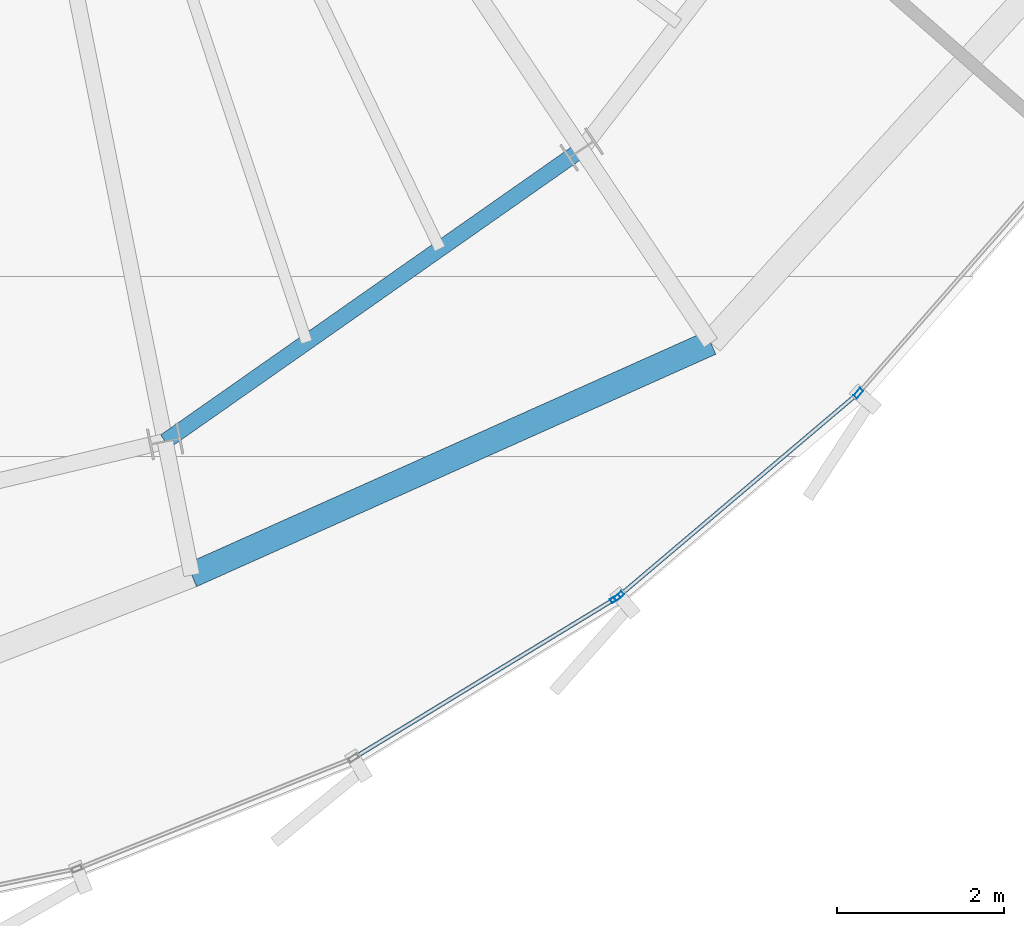
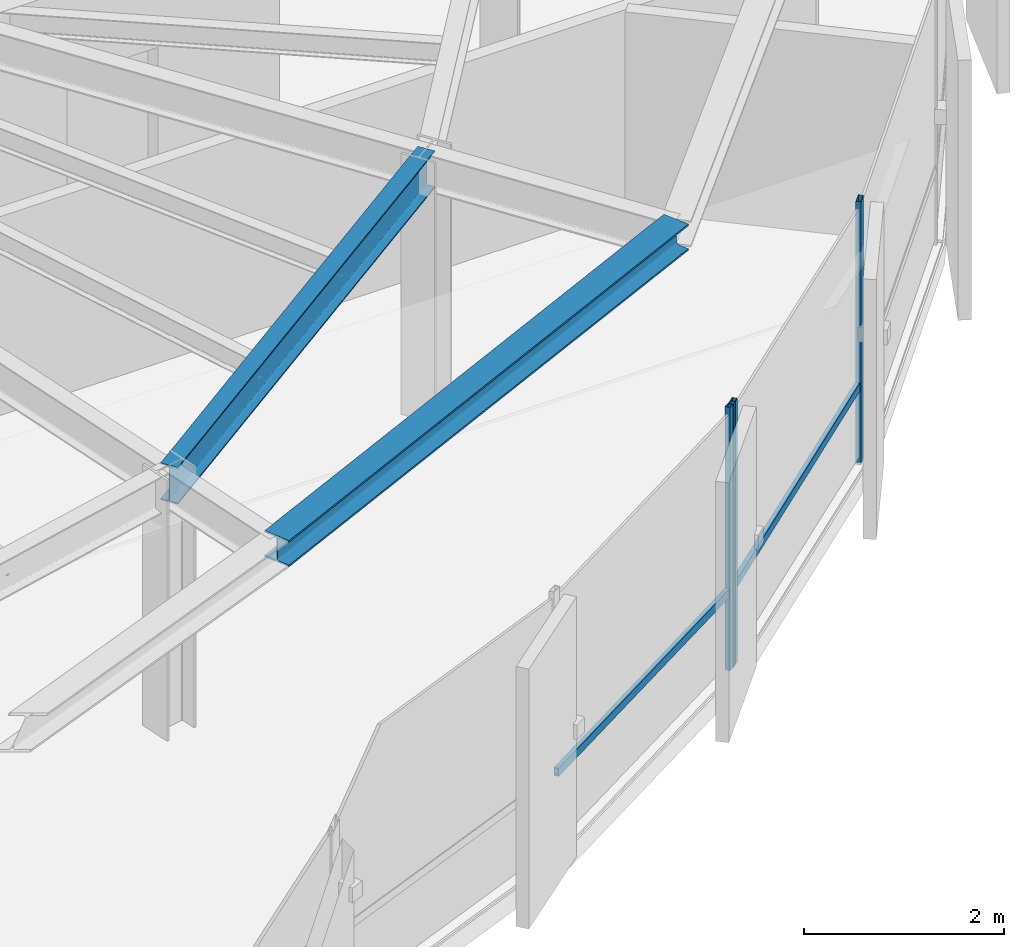
# One storey, part 8 of 32: 5 members, 2 beams, 2 elements without a shape of their own.
"""IFC4 building model written with IfcOpenShell, lengths in metres."""

import ifcopenshell
import ifcopenshell.guid

model = None  # the IFC model being written
_history = None  # IfcOwnerHistory: only IFC2X3 demands one
_inside = {}  # id of a spatial element -> (the spatial element, [elements in it])
_under = {}  # id of a project, library or spatial element -> (it, [spatial elements below it])
_declared = {}  # id of a project -> (the project, [libraries it declares])
_typed = {}  # id of a type object -> (the type object, [elements of that type])
_made_of = {}  # id of a material, layer set ... -> (it, [elements and type objects made of it])


def new_model(schema):
    """Start an empty IFC model of exactly this schema.

    Asked for "IFC4X3", IfcOpenShell would pick the latest addendum, in which some entities
    have other attributes; the version numbers below select the first issue.
    IFC2X3 requires an IfcOwnerHistory on every rooted entity: one is made here for all.
    """
    global model, _history
    if schema == "IFC4X3":
        model = ifcopenshell.file(schema_version=(4, 3, 0, 0))
    else:
        model = ifcopenshell.file(schema=schema)
    _inside.clear()
    _under.clear()
    _declared.clear()
    _typed.clear()
    _made_of.clear()
    _history = None
    if model.schema == "IFC2X3":
        org = make("IfcOrganization", Name="unknown")
        user = make(
            "IfcPersonAndOrganization",
            ThePerson=make("IfcPerson", FamilyName="unknown"),
            TheOrganization=org,
        )
        app = make(
            "IfcApplication",
            ApplicationDeveloper=org,
            Version="unknown",
            ApplicationFullName="unknown",
            ApplicationIdentifier="unknown",
        )
        _history = make(
            "IfcOwnerHistory",
            OwningUser=user,
            OwningApplication=app,
            ChangeAction="ADDED",
            CreationDate=0,
        )
    return model


def make(cls, **values):
    """One entity of the class cls with the attributes given. An attribute that is None is left unset."""
    return model.create_entity(
        cls, **{name: value for name, value in values.items() if value is not None}
    )


def rooted(cls, **values):
    """An entity with a GlobalId (a new one), such as an element, a storey or a relation."""
    return make(cls, GlobalId=ifcopenshell.guid.new(), OwnerHistory=_history, **values)


def si_unit(unit_type, name, prefix=None):
    """IfcSIUnit, for example si_unit("LENGTHUNIT", "METRE", prefix="MILLI")."""
    return make("IfcSIUnit", UnitType=unit_type, Prefix=prefix, Name=name)


def assignment(units):
    """IfcUnitAssignment: the units of a project."""
    return None if units is None else make("IfcUnitAssignment", Units=units)


def point(xyz):
    """IfcCartesianPoint."""
    return None if xyz is None else make("IfcCartesianPoint", Coordinates=xyz)


def direction(xyz):
    """IfcDirection."""
    return None if xyz is None else make("IfcDirection", DirectionRatios=xyz)


def frame(location, z_axis=None, x_axis=None):
    """IfcAxis2Placement3D, a coordinate frame: its origin and axes. An axis left out is left unset."""
    return make(
        "IfcAxis2Placement3D",
        Location=point(location),
        Axis=direction(z_axis),
        RefDirection=direction(x_axis),
    )


def frame_2d(location, x_axis=None):
    """IfcAxis2Placement2D, a coordinate frame in the plane: its origin and x axis."""
    return make(
        "IfcAxis2Placement2D", Location=point(location), RefDirection=direction(x_axis)
    )


def origin():
    """The frame at (0, 0, 0) with its axes left unset."""
    return frame((0.0, 0.0, 0.0))


def origin_2d():
    """The frame at (0, 0) in the plane with its x axis left unset."""
    return frame_2d((0.0, 0.0))


def place(relative_to, where):
    """IfcLocalPlacement: puts the frame where relative to a parent placement (None: the world)."""
    return make(
        "IfcLocalPlacement", PlacementRelTo=relative_to, RelativePlacement=where
    )


def context(
    kind, dimensions, precision=None, world=None, true_north=None, identifier=None
):
    """IfcGeometricRepresentationContext, for example the 3D "Model" context."""
    return make(
        "IfcGeometricRepresentationContext",
        ContextIdentifier=identifier,
        ContextType=kind,
        CoordinateSpaceDimension=dimensions,
        Precision=precision,
        WorldCoordinateSystem=world,
        TrueNorth=true_north,
    )


def subcontext(parent, identifier, kind, view, scale=None):
    """IfcGeometricRepresentationSubContext, for example "Body" below "Model"."""
    return make(
        "IfcGeometricRepresentationSubContext",
        ContextIdentifier=identifier,
        ContextType=kind,
        ParentContext=parent,
        TargetScale=scale,
        TargetView=view,
    )


def project(units=None, contexts=None):
    """IfcProject with its units and contexts."""
    return rooted(
        "IfcProject",
        Name="project",
        RepresentationContexts=contexts,
        UnitsInContext=assignment(units),
    )


def spatial(cls, under=None, at=None, **own):
    """A site, building, storey or space (cls), placed at a placement, below another one or the project."""
    s = rooted(cls, ObjectPlacement=at, **own)
    if under is not None:
        _under.setdefault(under.id(), (under, []))[1].append(s)
    return s


def profile(cls, at=None, kind="AREA", **sizes):
    """A parametric profile (cls). Its sizes go by their IFC names, for example OverallWidth=200.0."""
    return make(cls, ProfileType=kind, Position=at, **sizes)


def hollow_rectangle(**sizes):
    """IfcRectangleHollowProfileDef."""
    return profile("IfcRectangleHollowProfileDef", **sizes)


def i_section(**sizes):
    """IfcIShapeProfileDef."""
    return profile("IfcIShapeProfileDef", **sizes)


def extrude(swept, where, along, depth):
    """IfcExtrudedAreaSolid: the profile swept, set in the frame where, extruded along a direction by depth."""
    return make(
        "IfcExtrudedAreaSolid",
        SweptArea=swept,
        Position=where,
        ExtrudedDirection=direction(along),
        Depth=depth,
    )


def shape(context_of_items, identifier, shape_type, items):
    """IfcShapeRepresentation: the items that make up one representation, for example the "Body"."""
    return make(
        "IfcShapeRepresentation",
        ContextOfItems=context_of_items,
        RepresentationIdentifier=identifier,
        RepresentationType=shape_type,
        Items=items,
    )


def source(mapping_origin, context_of_items, identifier, shape_type, items):
    """IfcRepresentationMap: a shape defined once, which mapped items show again and again."""
    return make(
        "IfcRepresentationMap",
        MappingOrigin=mapping_origin,
        MappedRepresentation=shape(context_of_items, identifier, shape_type, items),
    )


def transform(
    local_origin,
    x_axis=None,
    y_axis=None,
    z_axis=None,
    scale=None,
    scale2=None,
    scale3=None,
    uniform=True,
):
    """IfcCartesianTransformationOperator3D, or its non-uniform kind. x_axis, y_axis, z_axis: its Axis1, 2, 3."""
    if uniform:
        return make(
            "IfcCartesianTransformationOperator3D",
            Axis1=direction(x_axis),
            Axis2=direction(y_axis),
            LocalOrigin=point(local_origin),
            Scale=scale,
            Axis3=direction(z_axis),
        )
    return make(
        "IfcCartesianTransformationOperator3DnonUniform",
        Axis1=direction(x_axis),
        Axis2=direction(y_axis),
        LocalOrigin=point(local_origin),
        Scale=scale,
        Axis3=direction(z_axis),
        Scale2=scale2,
        Scale3=scale3,
    )


def mapped(mapping_source, mapping_target):
    """IfcMappedItem: shows the shape of a source again, moved by a transform."""
    return make(
        "IfcMappedItem", MappingSource=mapping_source, MappingTarget=mapping_target
    )


def material(Name=None, Category=None):
    """IfcMaterial."""
    return make("IfcMaterial", Name=Name, Category=Category)


def layer(
    of_material, thickness, ventilated=None, Name=None, Category=None, Priority=None
):
    """IfcMaterialLayer: one layer of a wall or slab, of a material (None: an air gap)."""
    return make(
        "IfcMaterialLayer",
        Material=of_material,
        LayerThickness=thickness,
        IsVentilated=ventilated,
        Name=Name,
        Category=Category,
        Priority=Priority,
    )


def layer_set(layers, Name=None):
    """IfcMaterialLayerSet."""
    return make("IfcMaterialLayerSet", MaterialLayers=layers, LayerSetName=Name)


def material_profile(
    of_material, cross_section, Name=None, Category=None, Priority=None
):
    """IfcMaterialProfile: a cross section and its material."""
    return make(
        "IfcMaterialProfile",
        Name=Name,
        Material=of_material,
        Profile=cross_section,
        Priority=Priority,
        Category=Category,
    )


def profile_set(profiles, Name=None, composite=None):
    """IfcMaterialProfileSet."""
    return make(
        "IfcMaterialProfileSet",
        Name=Name,
        MaterialProfiles=profiles,
        CompositeProfile=composite,
    )


def made_of(thing, what):
    """Note that an element or type object is made of a material, layer set ...; save() writes the relation."""
    if what is not None:
        _made_of.setdefault(what.id(), (what, []))[1].append(thing)
    return thing


def type_object(cls, material=None, **own):
    """A type object (cls), such as IfcWallType, which elements share."""
    return made_of(rooted(cls, **own), material)


def element(
    cls,
    number,
    at=None,
    inside=None,
    cuts=None,
    type_object=None,
    material=None,
    context=None,
    identifier="Body",
    shape_type=None,
    held_by="IfcProductDefinitionShape",
    body=None,
    shapes=None,
    **own,
):
    """One element of the class cls, such as IfcWall. Its Tag is "e" and its number.

    at: its placement. inside: the storey or other place that contains it. cuts: it is an
    opening in that element (IfcRelVoidsElement). A single representation is given by context,
    identifier, shape_type and body (its items); several are given by shapes. held_by: the class
    of the entity that holds the representations. save() writes the other relations.
    """
    e = rooted(cls, Tag="e%d" % number, ObjectPlacement=at, **own)
    if body is not None:
        shapes = [shape(context, identifier, shape_type, body)]
    if shapes is not None:
        e.Representation = make(held_by, Representations=shapes)
    if inside is not None:
        _inside.setdefault(inside.id(), (inside, []))[1].append(e)
    if cuts is not None:
        rooted(
            "IfcRelVoidsElement", RelatingBuildingElement=cuts, RelatedOpeningElement=e
        )
    if type_object is not None:
        _typed.setdefault(type_object.id(), (type_object, []))[1].append(e)
    return made_of(e, material)


def aggregate(whole, parts):
    """IfcRelAggregates: a whole, such as a stair, and the parts it consists of."""
    return rooted("IfcRelAggregates", RelatingObject=whole, RelatedObjects=parts)


def save(model, path):
    """Write the relations noted so far, then the file.

    IfcRelAggregates (storeys below a building ...), IfcRelContainedInSpatialStructure (elements
    in a storey), IfcRelDefinesByType, IfcRelAssociatesMaterial and IfcRelDeclares: one each for
    every whole, place, type object, material and project.
    """
    for whole, parts in _under.values():
        aggregate(whole, parts)
    for where, things in _inside.values():
        rooted(
            "IfcRelContainedInSpatialStructure",
            RelatedElements=things,
            RelatingStructure=where,
        )
    for kind, things in _typed.values():
        rooted("IfcRelDefinesByType", RelatedObjects=things, RelatingType=kind)
    for what, things in _made_of.values():
        rooted("IfcRelAssociatesMaterial", RelatedObjects=things, RelatingMaterial=what)
    for by, libraries in _declared.values():
        rooted("IfcRelDeclares", RelatingContext=by, RelatedDefinitions=libraries)
    model.write(path)


model = new_model("IFC4")

# Units and contexts
model_context = context("Model", 3, precision=1e-05, world=origin(), true_north=direction((0.0, 1.0)))
body_context = subcontext(model_context, "Body", "Model", "MODEL_VIEW")
ifc_project = project(units=[si_unit("LENGTHUNIT", "METRE"), si_unit("AREAUNIT", "SQUARE_METRE"), si_unit("VOLUMEUNIT", "CUBIC_METRE"), si_unit("PLANEANGLEUNIT", "RADIAN"), si_unit("MASSUNIT", "GRAM", prefix="KILO"), si_unit("THERMODYNAMICTEMPERATUREUNIT", "KELVIN")], contexts=[model_context])

# Site, building, storey
site_placement = place(None, origin())
site = spatial("IfcSite", under=ifc_project, at=site_placement, CompositionType="ELEMENT")
building_placement = place(site_placement, origin())
building = spatial("IfcBuilding", under=site, at=building_placement, Name="Kethvar Cultural Tower", CompositionType="ELEMENT")
storey_placement = place(building_placement, frame((0.0, 0.0, 280.14990234375)))
storey = spatial("IfcBuildingStorey", under=building, at=storey_placement, Name="L74", CompositionType="ELEMENT", Elevation=280.14990234375)

# Beams
ifc_material_1 = material(Name="Steel S355J2", Category="steel")
ifc_material_profile_1 = material_profile(ifc_material_1, i_section(OverallWidth=0.18994140625, OverallDepth=0.449951171875, WebThickness=0.009521484375, FlangeThickness=0.0146484375, FilletRadius=0.02099609375, at=origin_2d()), Name="Steel S355J2 — IPE450")
ifc_profile_set_1 = profile_set([ifc_material_profile_1], Name="Steel S355J2 — IPE450")
beam_type_1 = type_object("IfcBeamType", Name="BM-IPE450", PredefinedType="BEAM", material=ifc_profile_set_1)
shared_shape_1 = source(origin(), body_context, "Body", "SweptSolid", [
    extrude(i_section(OverallWidth=0.18994140625, OverallDepth=0.449951171875, WebThickness=0.009521484375, FlangeThickness=0.0146484375, FilletRadius=0.02099609375, at=origin_2d()), origin(), (0.0, 0.0, 1.0), 6.0859375),
])
beam_1_placement = place(storey_placement, frame((49.901611328125, 12.206787109375, 2.983154296875), z_axis=(0.818843498091, 0.57401683393, 0.0), x_axis=(-0.57401683393, 0.818843498091, 0.0)))
element("IfcBeam", 1, at=beam_1_placement, inside=storey, type_object=beam_type_1, Name="L74 Column Ring Tie Beam CR-13", PredefinedType="BEAM", context=body_context, shape_type="MappedRepresentation", body=[
    mapped(shared_shape_1, transform((0.0, 0.0, 0.0), scale=1.0)),
])
ifc_material_profile_2 = material_profile(ifc_material_1, i_section(OverallWidth=0.300048828125, OverallDepth=0.320068359375, WebThickness=0.011474609375, FlangeThickness=0.0205078125, FilletRadius=0.027099609375, at=origin_2d()), Name="Steel S355J2 — HEB320")
ifc_profile_set_2 = profile_set([ifc_material_profile_2], Name="Steel S355J2 — HEB320")
beam_type_2 = type_object("IfcBeamType", Name="BM-SP320", PredefinedType="SPANDREL", material=ifc_profile_set_2)
shared_shape_2 = source(origin(), body_context, "Body", "SweptSolid", [
    extrude(i_section(OverallWidth=0.300048828125, OverallDepth=0.320068359375, WebThickness=0.011474609375, FlangeThickness=0.0205078125, FilletRadius=0.027099609375, at=origin_2d()), origin(), (0.0, 0.0, 1.0), 6.80419921875),
])
beam_2_placement = place(storey_placement, frame((50.2197265625, 10.60791015625, 3.048095703125), z_axis=(0.912772841351, 0.408467550845, 0.0), x_axis=(-0.408467550845, 0.912772841351, 0.0)))
element("IfcBeam", 2, at=beam_2_placement, inside=storey, type_object=beam_type_2, Name="L74 Perimeter Spandrel Beam SP-13", PredefinedType="SPANDREL", context=body_context, shape_type="MappedRepresentation", body=[
    mapped(shared_shape_2, transform((0.0, 0.0, 0.0), scale=1.0)),
])

# Curtain wall, member
ifc_material_2 = material(Name="Aluminium 6063-T6", Category="aluminium")
ifc_layer = layer(ifc_material_2, 0.179931640625, Name="Aluminium 6063-T6", Category="aluminium")
ifc_layer_set = layer_set([ifc_layer], Name="Aluminium 6063-T6 (180 mm)")
curtain_wall_type = type_object("IfcCurtainWallType", Name="CW-SYS-05-Z56", PredefinedType="NOTDEFINED", material=ifc_layer_set)
curtain_wall_1_placement = place(storey_placement, origin())
curtain_wall_1 = element("IfcCurtainWall", 3, at=curtain_wall_1_placement, inside=storey, type_object=curtain_wall_type, Name="L74 Curtain Wall Run 04", PredefinedType="NOTDEFINED")
ifc_material_profile_3 = material_profile(ifc_material_2, hollow_rectangle(XDim=0.054931640625, YDim=0.1201171875, WallThickness=0.00390625, at=origin_2d()), Name="Aluminium 6063-T6 — RHS120x55x4")
ifc_profile_set_3 = profile_set([ifc_material_profile_3], Name="Aluminium 6063-T6 — RHS120x55x4")
member_type_1 = type_object("IfcMemberType", Name="CW-SYS-05-Z56-MUL", PredefinedType="MULLION", material=ifc_profile_set_3)
shared_shape_3 = source(origin(), body_context, "Body", "SweptSolid", [
    extrude(hollow_rectangle(XDim=0.054931640625, YDim=0.1201171875, WallThickness=0.00390625, at=origin_2d()), origin(), (0.0, 0.0, 1.0), 3.210205078125),
])
member_1_placement = place(storey_placement, frame((55.2890625, 10.326416015625, 0.0), z_axis=(0.0, 0.0, 1.0), x_axis=(-0.520175135901, 0.854059616181, 0.0)))
member_1 = element("IfcMember", 4, at=member_1_placement, type_object=member_type_1, Name="CW-L74-R04 Mullion 7", PredefinedType="MULLION", context=body_context, shape_type="MappedRepresentation", body=[
    mapped(shared_shape_3, transform((0.0, 0.0, 0.0), scale=1.0)),
])

# Curtain wall, members
curtain_wall_2_placement = place(storey_placement, origin())
curtain_wall_2 = element("IfcCurtainWall", 5, at=curtain_wall_2_placement, inside=storey, type_object=curtain_wall_type, Name="L74 Curtain Wall Run 05", PredefinedType="NOTDEFINED")
member_2_placement = place(storey_placement, frame((55.333984375, 10.359130859375, 0.0), z_axis=(0.0, 0.0, 1.0), x_axis=(-0.646523518642, 0.762894055451, 0.0)))
member_2 = element("IfcMember", 6, at=member_2_placement, type_object=member_type_1, Name="CW-L74-R05 Mullion 1", PredefinedType="MULLION", context=body_context, shape_type="MappedRepresentation", body=[
    mapped(shared_shape_3, transform((0.0, 0.0, 0.0), scale=1.0)),
])
member_3_placement = place(storey_placement, frame((58.197021484375, 12.783935546875, 0.0), z_axis=(0.0, 0.0, 1.0), x_axis=(-0.752541354327, 0.658544994688, 0.0)))
member_3 = element("IfcMember", 7, at=member_3_placement, type_object=member_type_1, Name="CW-L74-R05 Mullion 2", PredefinedType="MULLION", context=body_context, shape_type="MappedRepresentation", body=[
    mapped(shared_shape_3, transform((0.0, 0.0, 0.0), scale=1.0)),
])

# Member
ifc_material_profile_4 = material_profile(ifc_material_2, hollow_rectangle(XDim=0.050048828125, YDim=0.10009765625, WallThickness=0.00390625, at=origin_2d()), Name="Aluminium 6063-T6 — RHS100x50x4")
ifc_profile_set_4 = profile_set([ifc_material_profile_4], Name="Aluminium 6063-T6 — RHS100x50x4")
member_type_2 = type_object("IfcMemberType", Name="CW-SYS-05-Z56-TRN", PredefinedType="USERDEFINED", material=ifc_profile_set_4)
shared_shape_4 = source(origin(), body_context, "Body", "SweptSolid", [
    extrude(hollow_rectangle(XDim=0.050048828125, YDim=0.10009765625, WallThickness=0.00390625, at=origin_2d()), origin(), (0.0, 0.0, 1.0), 3.622314453125),
])
member_4_placement = place(storey_placement, frame((52.19189453125, 8.440185546875, 0.9501953125), z_axis=(0.854060569926, 0.520173569972, 0.0), x_axis=(-0.520173569972, 0.854060569926, 0.0)))
member_4 = element("IfcMember", 8, at=member_4_placement, type_object=member_type_2, Name="CW-L74-R04 Transom 6", ObjectType="TRANSOM", PredefinedType="USERDEFINED", context=body_context, shape_type="MappedRepresentation", body=[
    mapped(shared_shape_4, transform((0.0, 0.0, 0.0), scale=1.0)),
])

aggregate(curtain_wall_1, [member_1, member_4])

shared_shape_5 = source(origin(), body_context, "Body", "SweptSolid", [
    extrude(hollow_rectangle(XDim=0.050048828125, YDim=0.10009765625, WallThickness=0.00390625, at=origin_2d()), origin(), (0.0, 0.0, 1.0), 3.72314453125),
])
member_5_placement = place(storey_placement, frame((55.337158203125, 10.361572265625, 0.9501953125), z_axis=(0.762873673108, 0.646547568922, 0.0), x_axis=(-0.646547568922, 0.762873673108, 0.0)))
member_5 = element("IfcMember", 9, at=member_5_placement, type_object=member_type_2, Name="CW-L74-R05 Transom 1", ObjectType="TRANSOM", PredefinedType="USERDEFINED", context=body_context, shape_type="MappedRepresentation", body=[
    mapped(shared_shape_5, transform((0.0, 0.0, 0.0), scale=1.0)),
])

aggregate(curtain_wall_2, [member_2, member_3, member_5])

save(model, "model.ifc")
